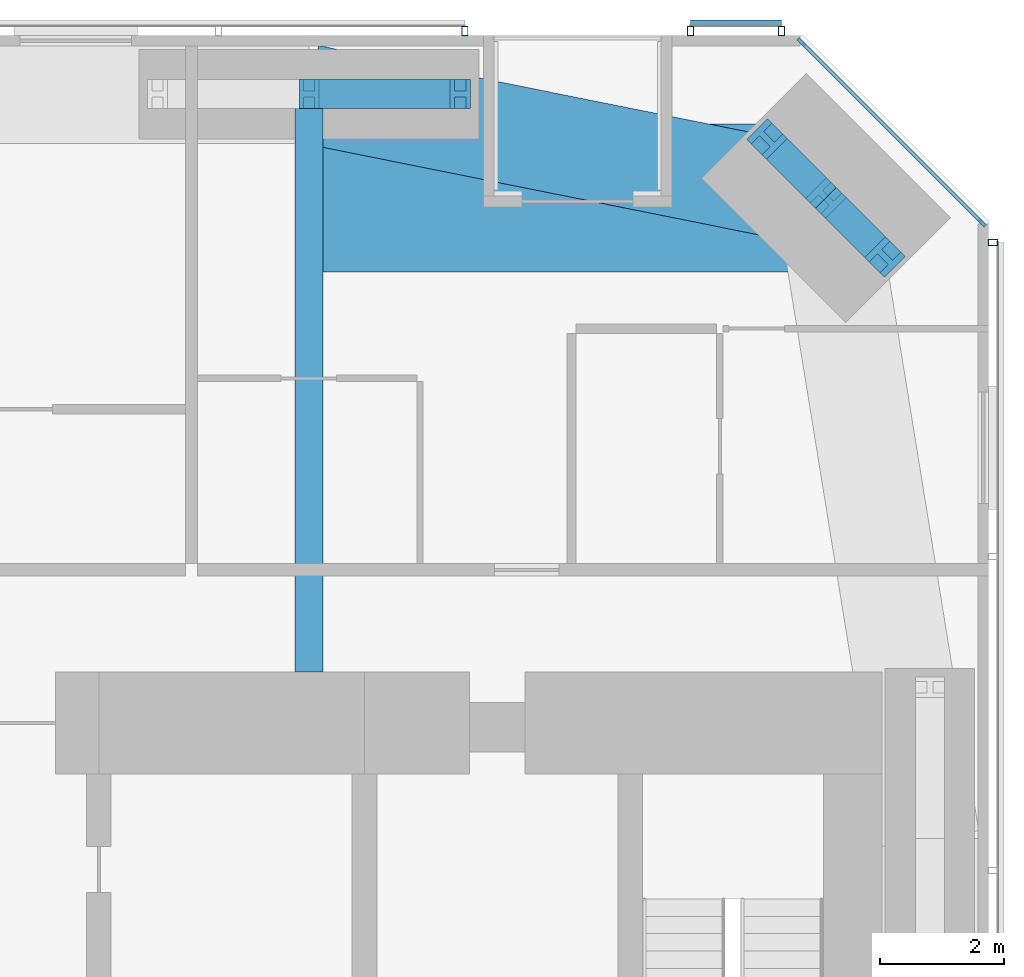
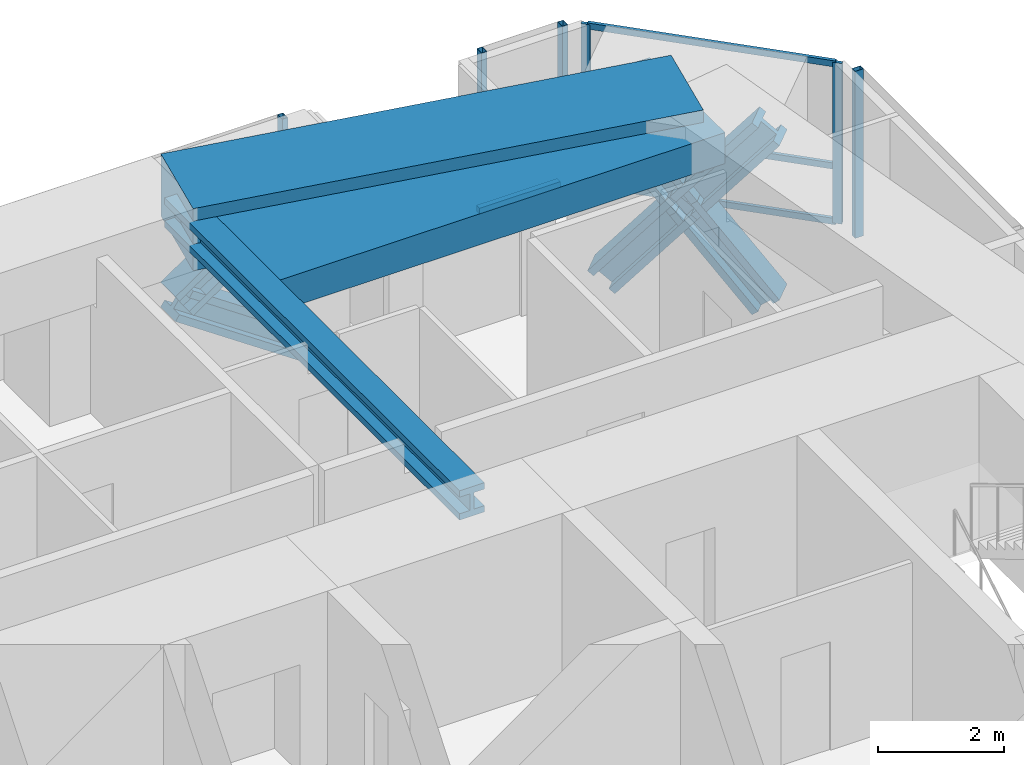
# One storey, part 15 of 24: 16 members, 3 beams, 4 elements without a shape of their own.
"""IFC4 building model written with IfcOpenShell, lengths in metres."""

from ifc_helpers import new_model, si_unit, direction, frame, origin, origin_2d, place, context, subcontext, project, spatial, rectangle, hollow_rectangle, i_section, extrude, material, material_profile, profile_set, type_object, element, aggregate, save


model = new_model("IFC4")

# Units and contexts
model_context = context("Model", 3, precision=1e-05, world=origin(), true_north=direction((0.0, 1.0)))
body_context = subcontext(model_context, "Body", "Model", "MODEL_VIEW")
ifc_project = project(units=[si_unit("LENGTHUNIT", "METRE"), si_unit("AREAUNIT", "SQUARE_METRE"), si_unit("VOLUMEUNIT", "CUBIC_METRE"), si_unit("PLANEANGLEUNIT", "RADIAN"), si_unit("MASSUNIT", "GRAM", prefix="KILO")], contexts=[model_context])

# Site, building, storey
site_placement = place(None, origin())
site = spatial("IfcSite", under=ifc_project, at=site_placement, CompositionType="ELEMENT")
building_placement = place(site_placement, origin())
building = spatial("IfcBuilding", under=site, at=building_placement, Name="Jalousie Tower", CompositionType="ELEMENT")
storey_placement = place(building_placement, frame((0.0, 0.0, 57.85009765625)))
storey = spatial("IfcBuildingStorey", under=building, at=storey_placement, Name="L15", CompositionType="ELEMENT", Elevation=57.85009765625)

# Curtain wall, members
ifc_material_1 = material(Name="Aluminium curtain wall", Category="aluminium")
curtain_wall_type_1 = type_object("IfcCurtainWallType", Name="CORNER WINDOW WALL", PredefinedType="USERDEFINED", material=ifc_material_1)
curtain_wall_1_placement = place(storey_placement, origin())
curtain_wall_1 = element("IfcCurtainWall", 1, at=curtain_wall_1_placement, inside=storey, type_object=curtain_wall_type_1, Name="Corner Window Wall L15 4", ObjectType="CORNER WINDOW WALL", PredefinedType="USERDEFINED")
ifc_material_2 = material(Name="Aluminium mullion", Category="aluminium")
ifc_material_profile_1 = material_profile(ifc_material_2, rectangle(XDim=0.06005859375, YDim=0.14990234375, at=origin_2d()), Name="MULLION 60x150")
ifc_profile_set_1 = profile_set([ifc_material_profile_1], Name="Aluminium mullion")
member_type_1 = type_object("IfcMemberType", Name="CORNER WINDOW WALL MULLION", PredefinedType="MULLION", material=ifc_profile_set_1)
member_1_placement = place(storey_placement, frame((45.891357421875, 34.969970703125, 0.0), z_axis=(0.0, 0.0, 1.0), x_axis=(-0.707106781187, -0.707106781187, 0.0)))
member_1 = element("IfcMember", 2, at=member_1_placement, type_object=member_type_1, Name="CW-C mullion 1", PredefinedType="MULLION", context=body_context, shape_type="SweptSolid", body=[
    extrude(rectangle(XDim=0.06005859375, YDim=0.14990234375, at=origin_2d()), origin(), (0.0, 0.0, 1.0), 3.10986328125),
])
member_2_placement = place(storey_placement, frame((42.969970703125, 37.891357421875, 0.0), z_axis=(0.0, 0.0, 1.0), x_axis=(-0.707106781187, -0.707106781187, 0.0)))
member_2 = element("IfcMember", 3, at=member_2_placement, type_object=member_type_1, Name="CW-C mullion 2", PredefinedType="MULLION", context=body_context, shape_type="SweptSolid", body=[
    extrude(rectangle(XDim=0.06005859375, YDim=0.14990234375, at=origin_2d()), origin(), (0.0, 0.0, 1.0), 3.10986328125),
])
ifc_material_3 = material(Name="Aluminium transom", Category="aluminium")
ifc_material_profile_2 = material_profile(ifc_material_3, rectangle(XDim=0.06005859375, YDim=0.1201171875, at=origin_2d()), Name="TRANSOM 60x120")
ifc_profile_set_2 = profile_set([ifc_material_profile_2], Name="Aluminium transom")
member_type_2 = type_object("IfcMemberType", Name="CORNER WINDOW WALL TRANSOM", PredefinedType="USERDEFINED", material=ifc_profile_set_2)
member_3_placement = place(storey_placement, frame((45.8701171875, 34.9912109375, 0.02978515625), z_axis=(-0.707106781187, 0.707106781187, 0.0), x_axis=(-0.707106781187, -0.707106781187, 0.0)))
member_3 = element("IfcMember", 4, at=member_3_placement, type_object=member_type_2, Name="CW-C transom 1.1", ObjectType="TRANSOM", PredefinedType="USERDEFINED", context=body_context, shape_type="SweptSolid", body=[
    extrude(rectangle(XDim=0.06005859375, YDim=0.1201171875, at=origin_2d()), origin(), (0.0, 0.0, 1.0), 4.0712890625),
])
member_4_placement = place(storey_placement, frame((45.8701171875, 34.9912109375, 1.099853515625), z_axis=(-0.707106781187, 0.707106781187, 0.0), x_axis=(-0.707106781187, -0.707106781187, 0.0)))
member_4 = element("IfcMember", 5, at=member_4_placement, type_object=member_type_2, Name="CW-C transom 1.2", ObjectType="TRANSOM", PredefinedType="USERDEFINED", context=body_context, shape_type="SweptSolid", body=[
    extrude(rectangle(XDim=0.06005859375, YDim=0.1201171875, at=origin_2d()), origin(), (0.0, 0.0, 1.0), 4.0712890625),
])
member_5_placement = place(storey_placement, frame((45.8701171875, 34.9912109375, 3.079833984375), z_axis=(-0.707106781187, 0.707106781187, 0.0), x_axis=(-0.707106781187, -0.707106781187, 0.0)))
member_5 = element("IfcMember", 6, at=member_5_placement, type_object=member_type_2, Name="CW-C transom 1.3", ObjectType="TRANSOM", PredefinedType="USERDEFINED", context=body_context, shape_type="SweptSolid", body=[
    extrude(rectangle(XDim=0.06005859375, YDim=0.1201171875, at=origin_2d()), origin(), (0.0, 0.0, 1.0), 4.0712890625),
])
aggregate(curtain_wall_1, [member_1, member_2, member_3, member_4, member_5])

# Beam
ifc_material_4 = material(Name="Steel ASTM A992 Grade 50", Category="steel")
ifc_material_profile_3 = material_profile(ifc_material_4, i_section(OverallWidth=0.45458984375, OverallDepth=0.569091796875, WebThickness=0.077880859375, FlangeThickness=0.124755859375, at=origin_2d()), Name="W14X730")
ifc_profile_set_3 = profile_set([ifc_material_profile_3], Name="Steel ASTM A992 Grade 50")
beam_type_1 = type_object("IfcBeamType", Name="LEAN COLLECTOR W14X730", PredefinedType="BEAM", material=ifc_profile_set_3)
beam_1_placement = place(storey_placement, frame((35.0, 37.050048828125, 2.825439453125), z_axis=(0.0, -1.0, 0.0), x_axis=(1.0, 0.0, 0.0)))
element("IfcBeam", 7, at=beam_1_placement, inside=storey, type_object=beam_type_1, Name="Lean collector under L16", PredefinedType="BEAM", context=body_context, shape_type="SweptSolid", body=[
    extrude(i_section(OverallWidth=0.45458984375, OverallDepth=0.569091796875, WebThickness=0.077880859375, FlangeThickness=0.124755859375, at=origin_2d()), origin(), (0.0, 0.0, 1.0), 9.35009765625),
])

# Members
ifc_material_5 = material(Name="Steel ASTM A992 Grade 50", Category="steel")
ifc_material_profile_4 = material_profile(ifc_material_5, i_section(OverallWidth=0.472412109375, OverallDepth=0.5791015625, WebThickness=0.094970703125, FlangeThickness=0.1298828125, at=origin_2d()), Name="W14X808")
ifc_profile_set_4 = profile_set([ifc_material_profile_4], Name="Steel ASTM A992 Grade 50")
member_type_3 = type_object("IfcMemberType", Name="PERIMETER BRACE W14X808", PredefinedType="BRACE", material=ifc_profile_set_4)
for number, where, z_axis, x_axis, name in (
    (8, (44.3232421875, 34.4140625, -0.60009765625), (-0.443718327034, 0.443718327034, 0.778606506849), (-0.707106781187, -0.707106781187, 0.0), "Perimeter brace 08 L15 part 1"),
    (9, (43.36865234375, 35.36865234375, 1.074951171875), (-0.443718327034, 0.443718327034, 0.778606506849), (-0.707106781187, -0.707106781187, 0.0), "Perimeter brace 08 L15 part 2"),
    (10, (42.4140625, 36.3232421875, -0.60009765625), (0.443718327034, -0.443718327034, 0.778606506849), (0.707106781187, 0.707106781187, 0.0), "Perimeter brace 08 L15 part 3"),
    (11, (43.36865234375, 35.36865234375, 1.074951171875), (0.443718327034, -0.443718327034, 0.778606506849), (0.707106781187, 0.707106781187, 0.0), "Perimeter brace 08 L15 part 4"),
):
    element("IfcMember", number, at=place(storey_placement, frame(where, z_axis=z_axis, x_axis=x_axis)), inside=storey, type_object=member_type_3, Name=name, PredefinedType="BRACE", context=body_context, shape_type="SweptSolid", body=[
        extrude(i_section(OverallWidth=0.472412109375, OverallDepth=0.5791015625, WebThickness=0.094970703125, FlangeThickness=0.1298828125, at=origin_2d()), origin(), (0.0, 0.0, 1.0), 2.1513671875),
    ])
for number, where, z_axis, x_axis, name in (
    (12, (35.0, 37.050048828125, 1.074951171875), (0.825500916831, 0.0, 0.564400776321), (0.0, 1.0, 0.0), "Perimeter brace 09 L15 part 2"),
    (13, (37.449951171875, 37.050048828125, -0.60009765625), (-0.825500916831, 0.0, 0.564400776321), (0.0, -1.0, 0.0), "Perimeter brace 09 L15 part 3"),
):
    element("IfcMember", number, at=place(storey_placement, frame(where, z_axis=z_axis, x_axis=x_axis)), inside=storey, type_object=member_type_3, Name=name, PredefinedType="BRACE", context=body_context, shape_type="SweptSolid", body=[
        extrude(i_section(OverallWidth=0.472412109375, OverallDepth=0.5791015625, WebThickness=0.094970703125, FlangeThickness=0.1298828125, at=origin_2d()), origin(), (0.0, 0.0, 1.0), 2.9677734375),
    ])

# Beams
ifc_material_6 = material(Name="Concrete f'c 40 MPa", Category="concrete")
ifc_material_profile_5 = material_profile(ifc_material_6, rectangle(XDim=1.60009765625, YDim=1.199951171875, at=origin_2d()), Name="RC 1600x1200")
ifc_profile_set_5 = profile_set([ifc_material_profile_5], Name="Concrete f'c 40 MPa")
beam_type_2 = type_object("IfcBeamType", Name="RC BEAM 1600x1200", PredefinedType="BEAM", material=ifc_profile_set_5)
beam_2_placement = place(storey_placement, frame((43.36865234375, 35.36865234375, 2.75), z_axis=(-0.980407585444, 0.196979609107, 0.0), x_axis=(-0.196979609107, -0.980407585444, 0.0)))
element("IfcBeam", 14, at=beam_2_placement, inside=storey, type_object=beam_type_2, Name="Edge band beam 08-09 under L16", PredefinedType="BEAM", context=body_context, shape_type="SweptSolid", body=[
    extrude(rectangle(XDim=1.60009765625, YDim=1.199951171875, at=origin_2d()), origin(), (0.0, 0.0, 1.0), 8.535888671875),
])
ifc_material_7 = material(Name="Concrete f'c 40 MPa", Category="concrete")
ifc_material_profile_6 = material_profile(ifc_material_7, rectangle(XDim=2.39990234375, YDim=0.60009765625, at=origin_2d()), Name="RC 2400x600")
ifc_profile_set_6 = profile_set([ifc_material_profile_6], Name="Concrete f'c 40 MPa")
beam_type_3 = type_object("IfcBeamType", Name="RC BEAM 2400x600", PredefinedType="BEAM", material=ifc_profile_set_6)
beam_3_placement = place(storey_placement, frame((43.36865234375, 35.36865234375, 2.809814453125), z_axis=(-1.0, 0.0, 0.0), x_axis=(0.0, -1.0, 0.0)))
element("IfcBeam", 15, at=beam_3_placement, inside=storey, type_object=beam_type_3, Name="Floor band beam under L16", PredefinedType="BEAM", context=body_context, shape_type="SweptSolid", body=[
    extrude(rectangle(XDim=2.39990234375, YDim=0.60009765625, at=origin_2d()), origin(), (0.0, 0.0, 1.0), 8.36865234375),
])

# Curtain wall, member
ifc_material_8 = material(Name="Perforated aluminium sheet", Category="aluminium")
curtain_wall_type_2 = type_object("IfcCurtainWallType", Name="SOLAR SCREEN SS-1", PredefinedType="USERDEFINED", material=ifc_material_8)
curtain_wall_2_placement = place(storey_placement, origin())
curtain_wall_2 = element("IfcCurtainWall", 16, at=curtain_wall_2_placement, inside=storey, type_object=curtain_wall_type_2, Name="Solar screen L15", ObjectType="SOLAR SCREEN SS-1", PredefinedType="USERDEFINED")
ifc_material_9 = material(Name="Steel ASTM A500 Grade C", Category="steel")
ifc_material_profile_7 = material_profile(ifc_material_9, hollow_rectangle(XDim=0.1015625, YDim=0.15234375, WallThickness=0.00634765625, at=origin_2d()), Name="HSS6X4X1/4")
ifc_profile_set_7 = profile_set([ifc_material_profile_7], Name="Steel ASTM A500 Grade C")
member_type_4 = type_object("IfcMemberType", Name="SOLAR SCREEN SS-1 MULLION", PredefinedType="MULLION", material=ifc_profile_set_7)
member_6_placement = place(storey_placement, frame((46.0712890625, 34.648681640625, -0.1201171875), z_axis=(0.0, 0.0, 1.0), x_axis=(0.0, 1.0, 0.0)))
member_6 = element("IfcMember", 17, at=member_6_placement, type_object=member_type_4, Name="SS1 post 4", PredefinedType="MULLION", context=body_context, shape_type="SweptSolid", body=[
    extrude(hollow_rectangle(XDim=0.1015625, YDim=0.15234375, WallThickness=0.00634765625, at=origin_2d()), origin(), (0.0, 0.0, 1.0), 3.22998046875),
])
aggregate(curtain_wall_2, [member_6])

# Curtain wall, members
curtain_wall_3_placement = place(storey_placement, origin())
curtain_wall_3 = element("IfcCurtainWall", 18, at=curtain_wall_3_placement, inside=storey, type_object=curtain_wall_type_2, Name="Solar screen L15", ObjectType="SOLAR SCREEN SS-1", PredefinedType="USERDEFINED")
member_7_placement = place(storey_placement, frame((42.648681640625, 38.0712890625, -0.1201171875), z_axis=(0.0, 0.0, 1.0), x_axis=(-1.0, 0.0, 0.0)))
member_7 = element("IfcMember", 19, at=member_7_placement, type_object=member_type_4, Name="SS1 post 1", PredefinedType="MULLION", context=body_context, shape_type="SweptSolid", body=[
    extrude(hollow_rectangle(XDim=0.1015625, YDim=0.15234375, WallThickness=0.00634765625, at=origin_2d()), origin(), (0.0, 0.0, 1.0), 3.22998046875),
])
member_8_placement = place(storey_placement, frame((41.173583984375, 38.0712890625, -0.1201171875), z_axis=(0.0, 0.0, 1.0), x_axis=(-1.0, 0.0, 0.0)))
member_8 = element("IfcMember", 20, at=member_8_placement, type_object=member_type_4, Name="SS1 post 2", PredefinedType="MULLION", context=body_context, shape_type="SweptSolid", body=[
    extrude(hollow_rectangle(XDim=0.1015625, YDim=0.15234375, WallThickness=0.00634765625, at=origin_2d()), origin(), (0.0, 0.0, 1.0), 3.22998046875),
])

# Curtain wall, member
curtain_wall_4_placement = place(storey_placement, origin())
curtain_wall_4 = element("IfcCurtainWall", 21, at=curtain_wall_4_placement, inside=storey, type_object=curtain_wall_type_2, Name="Solar screen L15", ObjectType="SOLAR SCREEN SS-1", PredefinedType="USERDEFINED")
member_9_placement = place(storey_placement, frame((37.523681640625, 38.0712890625, -0.1201171875), z_axis=(0.0, 0.0, 1.0), x_axis=(-1.0, 0.0, 0.0)))
member_9 = element("IfcMember", 22, at=member_9_placement, type_object=member_type_4, Name="SS1 post 1", PredefinedType="MULLION", context=body_context, shape_type="SweptSolid", body=[
    extrude(hollow_rectangle(XDim=0.1015625, YDim=0.15234375, WallThickness=0.00634765625, at=origin_2d()), origin(), (0.0, 0.0, 1.0), 3.22998046875),
])
aggregate(curtain_wall_4, [member_9])

# Member
ifc_material_10 = material(Name="Extruded aluminium screen rail", Category="aluminium")
ifc_material_profile_8 = material_profile(ifc_material_10, rectangle(XDim=0.1015625, YDim=0.1201171875, at=origin_2d()), Name="RAIL 102x120")
ifc_profile_set_8 = profile_set([ifc_material_profile_8], Name="Extruded aluminium screen rail")
member_type_5 = type_object("IfcMemberType", Name="SOLAR SCREEN SS-1 TRANSOM", PredefinedType="USERDEFINED", material=ifc_profile_set_8)
member_10_placement = place(storey_placement, frame((42.648681640625, 38.1982421875, -0.06005859375), z_axis=(-1.0, 0.0, 0.0), x_axis=(0.0, -1.0, 0.0)))
member_10 = element("IfcMember", 23, at=member_10_placement, type_object=member_type_5, Name="SS1 rail", ObjectType="TRANSOM", PredefinedType="USERDEFINED", context=body_context, shape_type="SweptSolid", body=[
    extrude(rectangle(XDim=0.1015625, YDim=0.1201171875, at=origin_2d()), origin(), (0.0, 0.0, 1.0), 1.47509765625),
])

aggregate(curtain_wall_3, [member_7, member_8, member_10])

save(model, "model.ifc")
